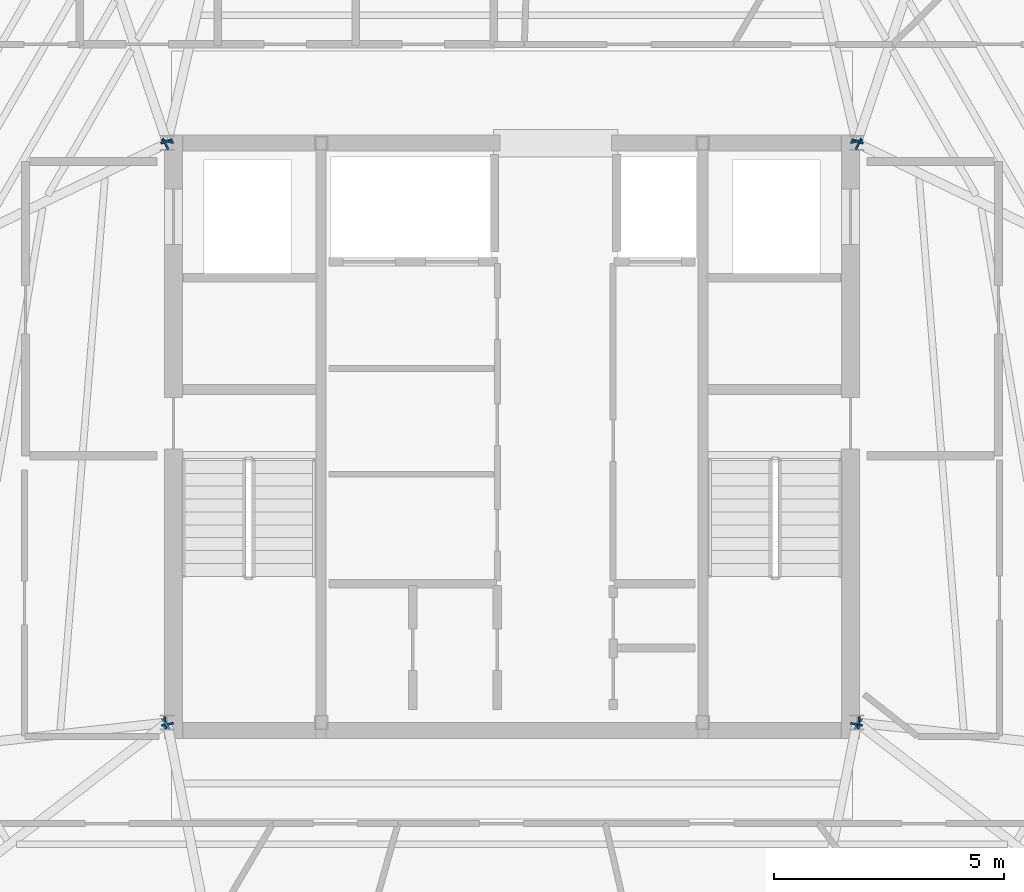
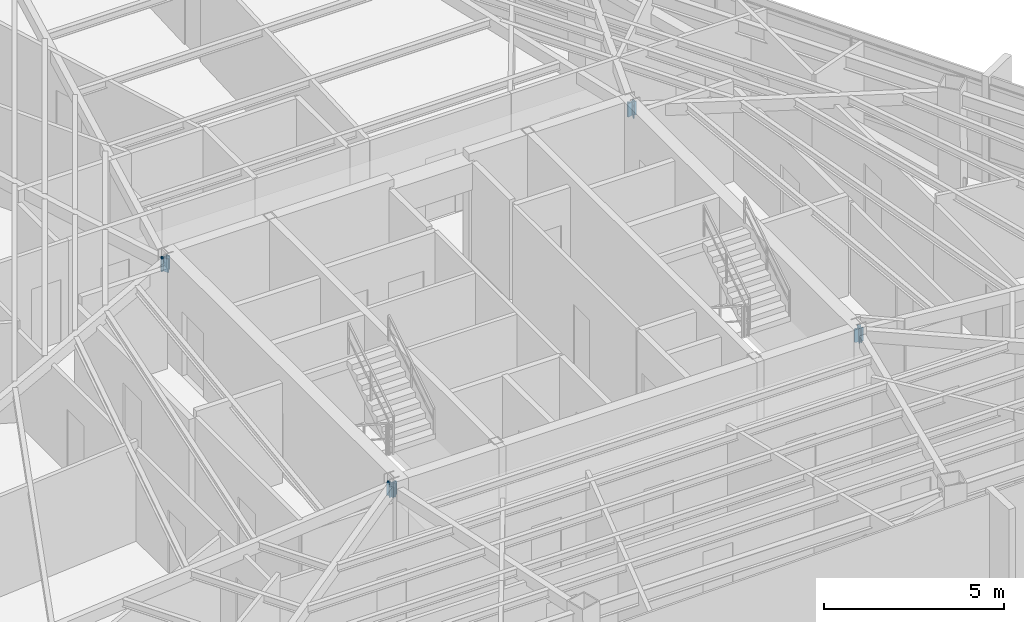
# One storey, part 38 of 44: 12 plates.
"""IFC4 building model written with IfcOpenShell, lengths in metres."""

from ifc_helpers import new_model, si_unit, direction, frame, origin, origin_2d, place, context, subcontext, project, spatial, rectangle, extrude, source, transform, mapped, material, layer, layer_set, type_object, type_shapes, element, save


model = new_model("IFC4")

# Units and contexts
model_context = context("Model", 3, precision=1e-05, world=origin(), true_north=direction((0.0, 1.0)))
body_context = subcontext(model_context, "Body", "Model", "MODEL_VIEW")
ifc_project = project(units=[si_unit("LENGTHUNIT", "METRE"), si_unit("AREAUNIT", "SQUARE_METRE"), si_unit("VOLUMEUNIT", "CUBIC_METRE"), si_unit("PLANEANGLEUNIT", "RADIAN"), si_unit("MASSUNIT", "GRAM", prefix="KILO")], contexts=[model_context])

# Site, building, storey
site_placement = place(None, origin())
site = spatial("IfcSite", under=ifc_project, at=site_placement, CompositionType="ELEMENT")
building_placement = place(site_placement, origin())
building = spatial("IfcBuilding", under=site, at=building_placement, Name="Caelisora Broadcast Tower", CompositionType="ELEMENT")
storey_placement = place(building_placement, frame((0.0, 0.0, 259.050048828125)))
storey = spatial("IfcBuildingStorey", under=building, at=storey_placement, Name="L68", CompositionType="ELEMENT", Elevation=259.050048828125)

# Plates
ifc_material = material(Name="Steel Grade 350 L15 (AS/NZS 3678)", Category="steel")
ifc_layer = layer(ifc_material, 0.0400390625, Name="Steel Grade 350 L15 (AS/NZS 3678)")
ifc_layer_set = layer_set([ifc_layer], Name="Steel Grade 350 L15 (AS/NZS 3678)")
plate_type = type_object("IfcPlateType", Name="GP04", PredefinedType="USERDEFINED", material=ifc_layer_set)
shared_shape = source(origin(), body_context, "Body", "SweptSolid", [
    extrude(rectangle(XDim=0.260009765625, YDim=0.0400390625, at=origin_2d()), origin(), (0.0, 0.0, 1.0), 0.4599609375),
])
type_shapes(plate_type, [shared_shape])
for number, where, z_axis, x_axis, name in (
    (1, (45.4912109375, 30.0390625, 2.969970703125), (0.0, 0.0, 1.0), (-0.974994446651, -0.222229226251, 0.0), "L68 gusset plate GP04 (ND-RAD-L68-01)"),
    (2, (30.5087890625, 30.0390625, 2.969970703125), (0.0, 0.0, 1.0), (-0.974994446651, 0.222229226251, 0.0), "L68 gusset plate GP04 (ND-RAD-L68-02)"),
    (3, (30.4873046875, 30.0380859375, 2.969970703125), (0.0, 0.0, 1.0), (-0.949041155016, -0.315152163383, 0.0), "L68 gusset plate GP04 (ND-RAD-L68-03)"),
    (4, (30.4638671875, 29.982666015625, 2.969970703125), (0.0, 0.0, 1.0), (0.432400521409, -0.901681645086, 0.0), "L68 gusset plate GP04 (ND-RAD-L68-04)"),
    (5, (30.460205078125, 17.3955078125, 2.969970703125), (0.0, 0.0, 1.0), (0.109560830507, -0.993980092567, 0.0), "L68 gusset plate GP04 (ND-RAD-L68-05)"),
    (6, (30.46826171875, 17.37548828125, 2.969970703125), (0.0, 0.0, 1.0), (0.610698137684, -0.791863488633, 0.0), "L68 gusset plate GP04 (ND-RAD-L68-06)"),
    (7, (30.5078125, 17.36083984375, 2.969970703125), (0.0, 0.0, 1.0), (0.981090517443, 0.193549468051, 0.0), "L68 gusset plate GP04 (ND-RAD-L68-07)"),
    (8, (45.4921875, 17.36083984375, 2.969970703125), (0.0, 0.0, 1.0), (0.981090517443, -0.193549468051, 0.0), "L68 gusset plate GP04 (ND-RAD-L68-08)"),
    (9, (45.53173828125, 17.37548828125, 2.969970703125), (0.0, 0.0, 1.0), (0.610698137684, 0.791863488633, 0.0), "L68 gusset plate GP04 (ND-RAD-L68-09)"),
    (10, (45.539794921875, 17.3955078125, 2.969970703125), (0.0, 0.0, 1.0), (0.109560830507, 0.993980092567, 0.0), "L68 gusset plate GP04 (ND-RAD-L68-10)"),
    (11, (45.5361328125, 29.982666015625, 2.969970703125), (0.0, 0.0, 1.0), (0.432400521409, 0.901681645086, 0.0), "L68 gusset plate GP04 (ND-RAD-L68-11)"),
    (12, (45.5126953125, 30.0380859375, 2.969970703125), (0.0, 0.0, 1.0), (-0.949041155016, 0.315152163383, 0.0), "L68 gusset plate GP04 (ND-RAD-L68-12)"),
):
    element("IfcPlate", number, at=place(storey_placement, frame(where, z_axis=z_axis, x_axis=x_axis)), inside=storey, type_object=plate_type, Name=name, ObjectType="GUSSET PLATE", PredefinedType="USERDEFINED", context=body_context, shape_type="MappedRepresentation", body=[
        mapped(shared_shape, transform((0.0, 0.0, 0.0), scale=1.0)),
    ])

save(model, "model.ifc")
